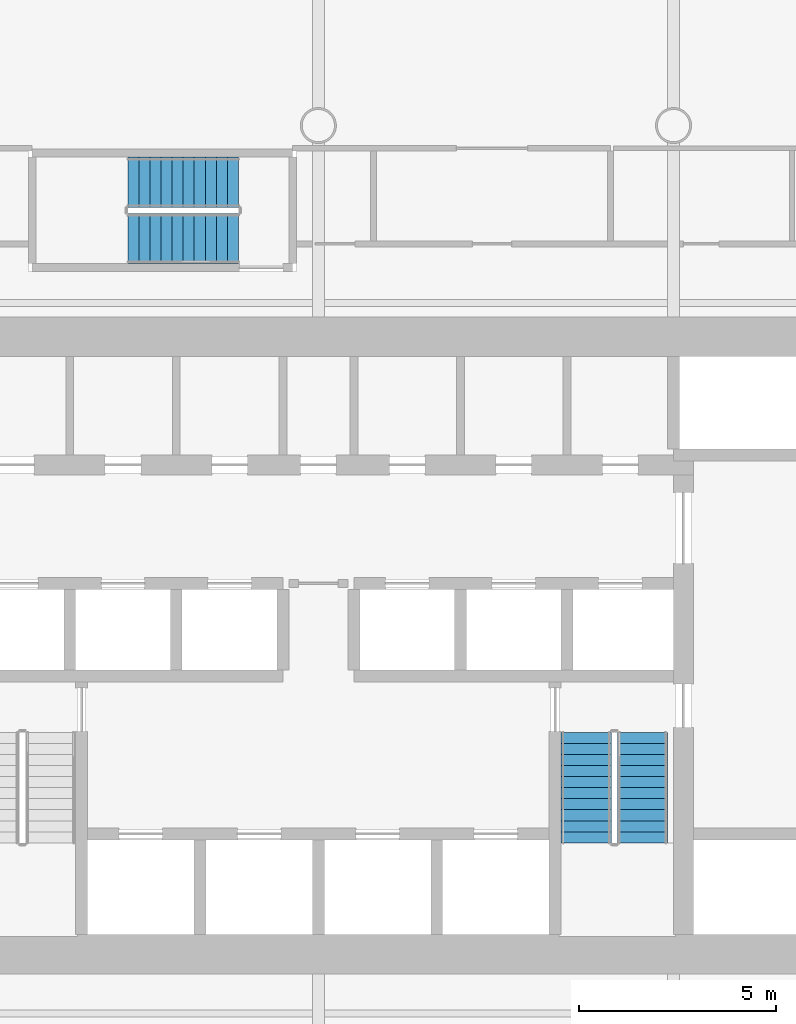
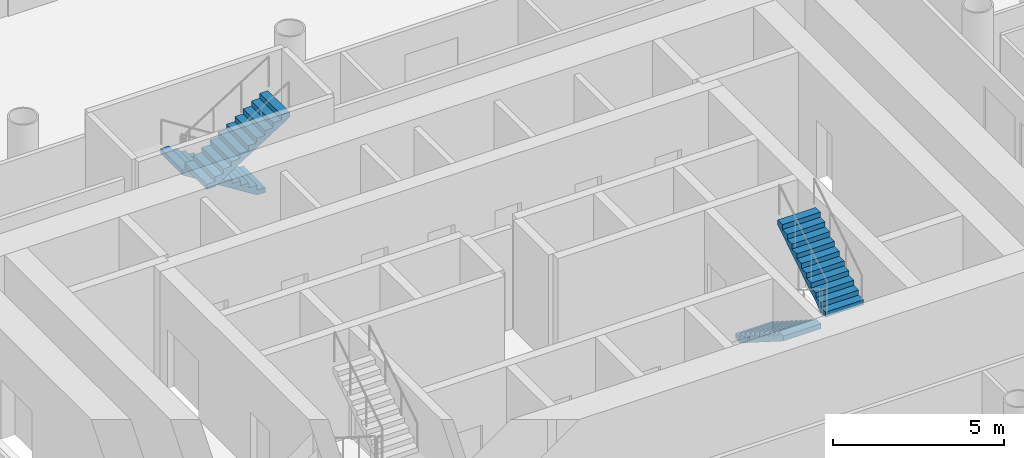
# One storey, part 16 of 21: 4 stair flights, 2 elements without a shape of their own.
"""IFC4 building model written with IfcOpenShell, lengths in metres."""

import ifcopenshell
import ifcopenshell.guid

model = None  # the IFC model being written
_history = None  # IfcOwnerHistory: only IFC2X3 demands one
_inside = {}  # id of a spatial element -> (the spatial element, [elements in it])
_under = {}  # id of a project, library or spatial element -> (it, [spatial elements below it])
_declared = {}  # id of a project -> (the project, [libraries it declares])
_typed = {}  # id of a type object -> (the type object, [elements of that type])
_made_of = {}  # id of a material, layer set ... -> (it, [elements and type objects made of it])


def new_model(schema):
    """Start an empty IFC model of exactly this schema.

    Asked for "IFC4X3", IfcOpenShell would pick the latest addendum, in which some entities
    have other attributes; the version numbers below select the first issue.
    IFC2X3 requires an IfcOwnerHistory on every rooted entity: one is made here for all.
    """
    global model, _history
    if schema == "IFC4X3":
        model = ifcopenshell.file(schema_version=(4, 3, 0, 0))
    else:
        model = ifcopenshell.file(schema=schema)
    _inside.clear()
    _under.clear()
    _declared.clear()
    _typed.clear()
    _made_of.clear()
    _history = None
    if model.schema == "IFC2X3":
        org = make("IfcOrganization", Name="unknown")
        user = make(
            "IfcPersonAndOrganization",
            ThePerson=make("IfcPerson", FamilyName="unknown"),
            TheOrganization=org,
        )
        app = make(
            "IfcApplication",
            ApplicationDeveloper=org,
            Version="unknown",
            ApplicationFullName="unknown",
            ApplicationIdentifier="unknown",
        )
        _history = make(
            "IfcOwnerHistory",
            OwningUser=user,
            OwningApplication=app,
            ChangeAction="ADDED",
            CreationDate=0,
        )
    return model


def make(cls, **values):
    """One entity of the class cls with the attributes given. An attribute that is None is left unset."""
    return model.create_entity(
        cls, **{name: value for name, value in values.items() if value is not None}
    )


def rooted(cls, **values):
    """An entity with a GlobalId (a new one), such as an element, a storey or a relation."""
    return make(cls, GlobalId=ifcopenshell.guid.new(), OwnerHistory=_history, **values)


def si_unit(unit_type, name, prefix=None):
    """IfcSIUnit, for example si_unit("LENGTHUNIT", "METRE", prefix="MILLI")."""
    return make("IfcSIUnit", UnitType=unit_type, Prefix=prefix, Name=name)


def assignment(units):
    """IfcUnitAssignment: the units of a project."""
    return None if units is None else make("IfcUnitAssignment", Units=units)


def point(xyz):
    """IfcCartesianPoint."""
    return None if xyz is None else make("IfcCartesianPoint", Coordinates=xyz)


def direction(xyz):
    """IfcDirection."""
    return None if xyz is None else make("IfcDirection", DirectionRatios=xyz)


def frame(location, z_axis=None, x_axis=None):
    """IfcAxis2Placement3D, a coordinate frame: its origin and axes. An axis left out is left unset."""
    return make(
        "IfcAxis2Placement3D",
        Location=point(location),
        Axis=direction(z_axis),
        RefDirection=direction(x_axis),
    )


def origin():
    """The frame at (0, 0, 0) with its axes left unset."""
    return frame((0.0, 0.0, 0.0))


def place(relative_to, where):
    """IfcLocalPlacement: puts the frame where relative to a parent placement (None: the world)."""
    return make(
        "IfcLocalPlacement", PlacementRelTo=relative_to, RelativePlacement=where
    )


def context(
    kind, dimensions, precision=None, world=None, true_north=None, identifier=None
):
    """IfcGeometricRepresentationContext, for example the 3D "Model" context."""
    return make(
        "IfcGeometricRepresentationContext",
        ContextIdentifier=identifier,
        ContextType=kind,
        CoordinateSpaceDimension=dimensions,
        Precision=precision,
        WorldCoordinateSystem=world,
        TrueNorth=true_north,
    )


def subcontext(parent, identifier, kind, view, scale=None):
    """IfcGeometricRepresentationSubContext, for example "Body" below "Model"."""
    return make(
        "IfcGeometricRepresentationSubContext",
        ContextIdentifier=identifier,
        ContextType=kind,
        ParentContext=parent,
        TargetScale=scale,
        TargetView=view,
    )


def project(units=None, contexts=None):
    """IfcProject with its units and contexts."""
    return rooted(
        "IfcProject",
        Name="project",
        RepresentationContexts=contexts,
        UnitsInContext=assignment(units),
    )


def spatial(cls, under=None, at=None, **own):
    """A site, building, storey or space (cls), placed at a placement, below another one or the project."""
    s = rooted(cls, ObjectPlacement=at, **own)
    if under is not None:
        _under.setdefault(under.id(), (under, []))[1].append(s)
    return s


def polyline(points):
    """IfcPolyline through the points."""
    return make("IfcPolyline", Points=[point(p) for p in points])


def outline(outer, holes=None, kind="AREA"):
    """IfcArbitraryClosedProfileDef: a profile drawn as a closed curve; with holes, ...WithVoids."""
    if holes is None:
        return make("IfcArbitraryClosedProfileDef", ProfileType=kind, OuterCurve=outer)
    return make(
        "IfcArbitraryProfileDefWithVoids",
        ProfileType=kind,
        OuterCurve=outer,
        InnerCurves=holes,
    )


def extrude(swept, where, along, depth):
    """IfcExtrudedAreaSolid: the profile swept, set in the frame where, extruded along a direction by depth."""
    return make(
        "IfcExtrudedAreaSolid",
        SweptArea=swept,
        Position=where,
        ExtrudedDirection=direction(along),
        Depth=depth,
    )


def shape(context_of_items, identifier, shape_type, items):
    """IfcShapeRepresentation: the items that make up one representation, for example the "Body"."""
    return make(
        "IfcShapeRepresentation",
        ContextOfItems=context_of_items,
        RepresentationIdentifier=identifier,
        RepresentationType=shape_type,
        Items=items,
    )


def material(Name=None, Category=None):
    """IfcMaterial."""
    return make("IfcMaterial", Name=Name, Category=Category)


def made_of(thing, what):
    """Note that an element or type object is made of a material, layer set ...; save() writes the relation."""
    if what is not None:
        _made_of.setdefault(what.id(), (what, []))[1].append(thing)
    return thing


def type_object(cls, material=None, **own):
    """A type object (cls), such as IfcWallType, which elements share."""
    return made_of(rooted(cls, **own), material)


def element(
    cls,
    number,
    at=None,
    inside=None,
    cuts=None,
    type_object=None,
    material=None,
    context=None,
    identifier="Body",
    shape_type=None,
    held_by="IfcProductDefinitionShape",
    body=None,
    shapes=None,
    **own,
):
    """One element of the class cls, such as IfcWall. Its Tag is "e" and its number.

    at: its placement. inside: the storey or other place that contains it. cuts: it is an
    opening in that element (IfcRelVoidsElement). A single representation is given by context,
    identifier, shape_type and body (its items); several are given by shapes. held_by: the class
    of the entity that holds the representations. save() writes the other relations.
    """
    e = rooted(cls, Tag="e%d" % number, ObjectPlacement=at, **own)
    if body is not None:
        shapes = [shape(context, identifier, shape_type, body)]
    if shapes is not None:
        e.Representation = make(held_by, Representations=shapes)
    if inside is not None:
        _inside.setdefault(inside.id(), (inside, []))[1].append(e)
    if cuts is not None:
        rooted(
            "IfcRelVoidsElement", RelatingBuildingElement=cuts, RelatedOpeningElement=e
        )
    if type_object is not None:
        _typed.setdefault(type_object.id(), (type_object, []))[1].append(e)
    return made_of(e, material)


def aggregate(whole, parts):
    """IfcRelAggregates: a whole, such as a stair, and the parts it consists of."""
    return rooted("IfcRelAggregates", RelatingObject=whole, RelatedObjects=parts)


def save(model, path):
    """Write the relations noted so far, then the file.

    IfcRelAggregates (storeys below a building ...), IfcRelContainedInSpatialStructure (elements
    in a storey), IfcRelDefinesByType, IfcRelAssociatesMaterial and IfcRelDeclares: one each for
    every whole, place, type object, material and project.
    """
    for whole, parts in _under.values():
        aggregate(whole, parts)
    for where, things in _inside.values():
        rooted(
            "IfcRelContainedInSpatialStructure",
            RelatedElements=things,
            RelatingStructure=where,
        )
    for kind, things in _typed.values():
        rooted("IfcRelDefinesByType", RelatedObjects=things, RelatingType=kind)
    for what, things in _made_of.values():
        rooted("IfcRelAssociatesMaterial", RelatedObjects=things, RelatingMaterial=what)
    for by, libraries in _declared.values():
        rooted("IfcRelDeclares", RelatingContext=by, RelatedDefinitions=libraries)
    model.write(path)


model = new_model("IFC4")

# Units and contexts
model_context = context("Model", 3, precision=1e-05, world=origin(), true_north=direction((0.0, 1.0)))
body_context = subcontext(model_context, "Body", "Model", "MODEL_VIEW")
ifc_project = project(units=[si_unit("LENGTHUNIT", "METRE"), si_unit("AREAUNIT", "SQUARE_METRE"), si_unit("VOLUMEUNIT", "CUBIC_METRE"), si_unit("PLANEANGLEUNIT", "RADIAN"), si_unit("MASSUNIT", "GRAM", prefix="KILO")], contexts=[model_context])

# Site, building, storey
site_placement = place(None, origin())
site = spatial("IfcSite", under=ifc_project, at=site_placement, CompositionType="ELEMENT")
building_placement = place(site_placement, origin())
building = spatial("IfcBuilding", under=site, at=building_placement, Name="Tskaro Facet Tower", CompositionType="ELEMENT")
storey_placement = place(building_placement, frame((0.0, 0.0, 38.10009765625)))
storey = spatial("IfcBuildingStorey", under=building, at=storey_placement, Name="L08", CompositionType="ELEMENT", Elevation=38.10009765625)

# Stair, stair flights
ifc_material = material(Name="Concrete C40/50", Category="concrete")
stair_type = type_object("IfcStairType", Name="ST-TWR", PredefinedType="HALF_TURN_STAIR", material=ifc_material)
stair_1_placement = place(storey_placement, origin())
stair_1 = element("IfcStair", 1, at=stair_1_placement, inside=storey, type_object=stair_type, Name="L08 Exit stair 2", PredefinedType="HALF_TURN_STAIR")
stair_flight_type = type_object("IfcStairFlightType", Name="SFL-RC", PredefinedType="STRAIGHT", material=ifc_material)
stair_flight_1_placement = place(storey_placement, frame((6.78759765625, -6.375, 0.0), z_axis=(0.0, 0.0, 1.0), x_axis=(0.0, -1.0, 0.0)))
stair_flight_1 = element("IfcStairFlight", 2, at=stair_flight_1_placement, type_object=stair_flight_type, Name="ST-2 flight 1", NumberOfRisers=11, NumberOfTreads=10, PredefinedType="STRAIGHT", RiserHeight=0.177272727, TreadLength=0.28, context=body_context, shape_type="SweptSolid", body=[
    extrude(outline(polyline([(0.0, 0.0), (0.0, 0.17724609375), (0.280029296875, 0.17724609375), (0.280029296875, 0.3544921875), (0.56005859375, 0.3544921875), (0.56005859375, 0.53173828125), (0.840087890625, 0.53173828125), (0.840087890625, 0.708984375), (1.1201171875, 0.708984375), (1.1201171875, 0.886474609375), (1.39990234375, 0.886474609375), (1.39990234375, 1.063720703125), (1.679931640625, 1.063720703125), (1.679931640625, 1.240966796875), (1.9599609375, 1.240966796875), (1.9599609375, 1.418212890625), (2.239990234375, 1.418212890625), (2.239990234375, 1.595458984375), (2.52001953125, 1.595458984375), (2.52001953125, 1.772705078125), (2.800048828125, 1.772705078125), (2.800048828125, 1.949951171875), (2.800048828125, 1.59521484375), (0.2802734375, 0.0), (0.0, 0.0)])), frame((0.0, 0.637451171875, 0.0), z_axis=(0.0, -1.0, 0.0), x_axis=(1.0, 0.0, 0.0)), (0.0, 0.0, 1.0), 1.27490234375),
])
stair_flight_2_placement = place(storey_placement, frame((8.21240234375, -9.175048828125, 1.949951171875), z_axis=(0.0, 0.0, 1.0), x_axis=(0.0, 1.0, 0.0)))
stair_flight_2 = element("IfcStairFlight", 3, at=stair_flight_2_placement, type_object=stair_flight_type, Name="ST-2 flight 2", NumberOfRisers=11, NumberOfTreads=10, PredefinedType="STRAIGHT", RiserHeight=0.177272727, TreadLength=0.28, context=body_context, shape_type="SweptSolid", body=[
    extrude(outline(polyline([(0.0, 0.0), (0.0, 0.17724609375), (0.280029296875, 0.17724609375), (0.280029296875, 0.3544921875), (0.56005859375, 0.3544921875), (0.56005859375, 0.53173828125), (0.840087890625, 0.53173828125), (0.840087890625, 0.708984375), (1.1201171875, 0.708984375), (1.1201171875, 0.886474609375), (1.39990234375, 0.886474609375), (1.39990234375, 1.063720703125), (1.679931640625, 1.063720703125), (1.679931640625, 1.240966796875), (1.9599609375, 1.240966796875), (1.9599609375, 1.418212890625), (2.239990234375, 1.418212890625), (2.239990234375, 1.595458984375), (2.52001953125, 1.595458984375), (2.52001953125, 1.772705078125), (2.800048828125, 1.772705078125), (2.800048828125, 1.949951171875), (2.800048828125, 1.59521484375), (0.2802734375, 0.0), (0.0, 0.0)])), frame((0.0, 0.637451171875, 0.0), z_axis=(0.0, -1.0, 0.0), x_axis=(1.0, 0.0, 0.0)), (0.0, 0.0, 1.0), 1.27490234375),
])
aggregate(stair_1, [stair_flight_1, stair_flight_2])

stair_2_placement = place(storey_placement, origin())
stair_2 = element("IfcStair", 4, at=stair_2_placement, inside=storey, type_object=stair_type, Name="L08 Exit stair 3", PredefinedType="HALF_TURN_STAIR")
stair_flight_3_placement = place(storey_placement, frame((-2.02490234375, 7.5625, 0.0), z_axis=(0.0, 0.0, 1.0), x_axis=(-1.0, 0.0, 0.0)))
stair_flight_3 = element("IfcStairFlight", 5, at=stair_flight_3_placement, type_object=stair_flight_type, Name="ST-3 flight 1", NumberOfRisers=11, NumberOfTreads=10, PredefinedType="STRAIGHT", RiserHeight=0.177272727, TreadLength=0.28, context=body_context, shape_type="SweptSolid", body=[
    extrude(outline(polyline([(0.0, 0.0), (0.0, 0.17724609375), (0.280029296875, 0.17724609375), (0.280029296875, 0.3544921875), (0.56005859375, 0.3544921875), (0.56005859375, 0.53173828125), (0.840087890625, 0.53173828125), (0.840087890625, 0.708984375), (1.1201171875, 0.708984375), (1.1201171875, 0.886474609375), (1.39990234375, 0.886474609375), (1.39990234375, 1.063720703125), (1.679931640625, 1.063720703125), (1.679931640625, 1.240966796875), (1.9599609375, 1.240966796875), (1.9599609375, 1.418212890625), (2.239990234375, 1.418212890625), (2.239990234375, 1.595458984375), (2.52001953125, 1.595458984375), (2.52001953125, 1.772705078125), (2.800048828125, 1.772705078125), (2.800048828125, 1.949951171875), (2.800048828125, 1.59521484375), (0.2802734375, 0.0), (0.0, 0.0)])), frame((0.0, 0.637451171875, 0.0), z_axis=(0.0, -1.0, 0.0), x_axis=(1.0, 0.0, 0.0)), (0.0, 0.0, 1.0), 1.27490234375),
])
stair_flight_4_placement = place(storey_placement, frame((-4.824951171875, 6.137451171875, 1.949951171875), z_axis=(0.0, 0.0, 1.0), x_axis=(1.0, 0.0, 0.0)))
stair_flight_4 = element("IfcStairFlight", 6, at=stair_flight_4_placement, type_object=stair_flight_type, Name="ST-3 flight 2", NumberOfRisers=11, NumberOfTreads=10, PredefinedType="STRAIGHT", RiserHeight=0.177272727, TreadLength=0.28, context=body_context, shape_type="SweptSolid", body=[
    extrude(outline(polyline([(0.0, 0.0), (0.0, 0.17724609375), (0.280029296875, 0.17724609375), (0.280029296875, 0.3544921875), (0.56005859375, 0.3544921875), (0.56005859375, 0.53173828125), (0.840087890625, 0.53173828125), (0.840087890625, 0.708984375), (1.1201171875, 0.708984375), (1.1201171875, 0.886474609375), (1.39990234375, 0.886474609375), (1.39990234375, 1.063720703125), (1.679931640625, 1.063720703125), (1.679931640625, 1.240966796875), (1.9599609375, 1.240966796875), (1.9599609375, 1.418212890625), (2.239990234375, 1.418212890625), (2.239990234375, 1.595458984375), (2.52001953125, 1.595458984375), (2.52001953125, 1.772705078125), (2.800048828125, 1.772705078125), (2.800048828125, 1.949951171875), (2.800048828125, 1.59521484375), (0.2802734375, 0.0), (0.0, 0.0)])), frame((0.0, 0.637451171875, 0.0), z_axis=(0.0, -1.0, 0.0), x_axis=(1.0, 0.0, 0.0)), (0.0, 0.0, 1.0), 1.27490234375),
])
aggregate(stair_2, [stair_flight_3, stair_flight_4])

save(model, "model.ifc")
